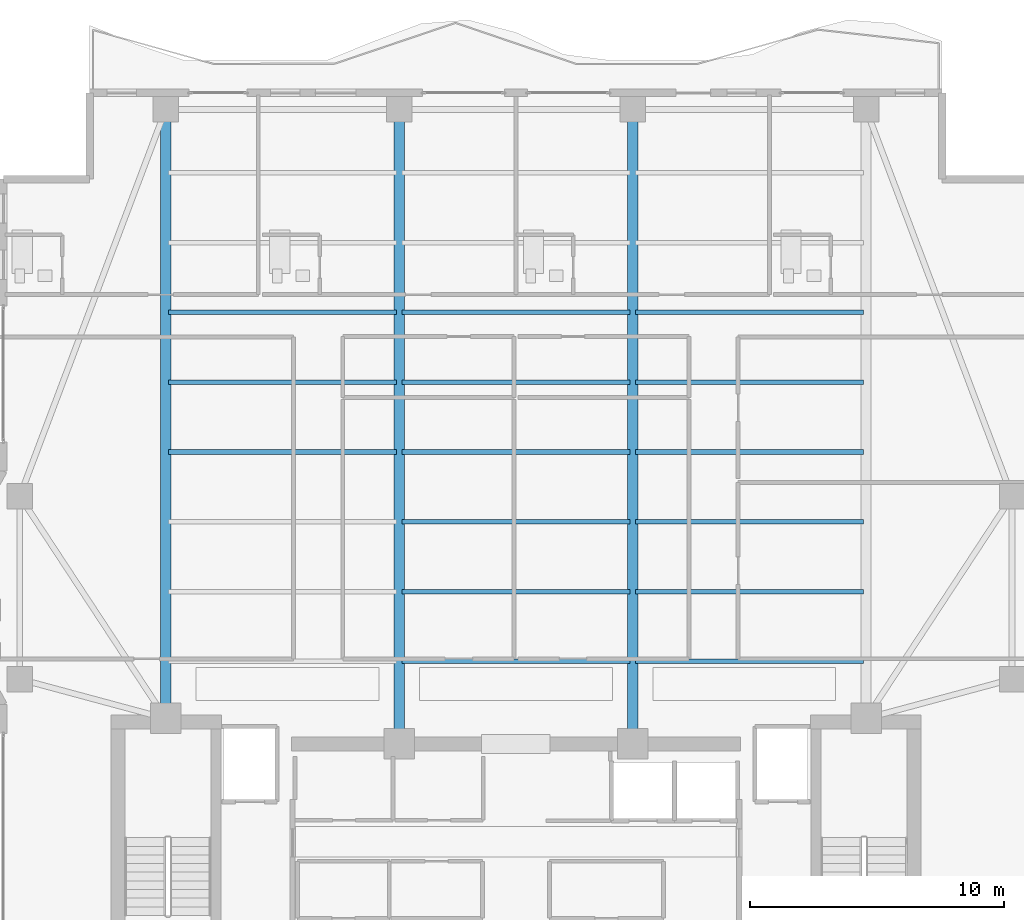
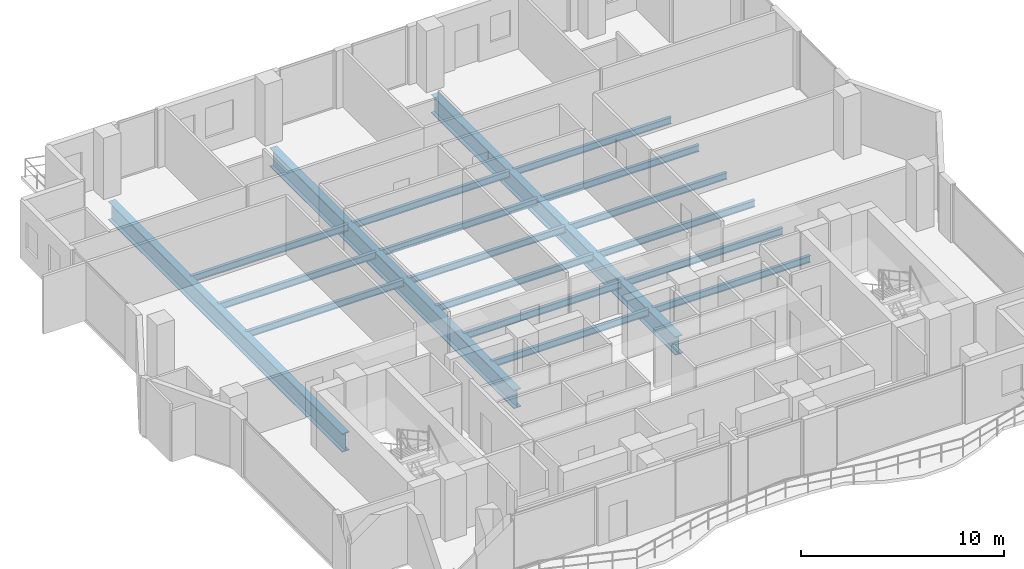
# One storey, part 7 of 25: 18 beams.
"""IFC4 building model written with IfcOpenShell, lengths in metres."""

from ifc_helpers import new_model, si_unit, direction, frame, origin, origin_2d, place, context, subcontext, project, spatial, i_section, extrude, material, material_profile, profile_set, type_object, element, save


model = new_model("IFC4")

# Units and contexts
model_context = context("Model", 3, precision=1e-05, world=origin(), true_north=direction((0.0, 1.0)))
body_context = subcontext(model_context, "Body", "Model", "MODEL_VIEW")
ifc_project = project(units=[si_unit("LENGTHUNIT", "METRE"), si_unit("AREAUNIT", "SQUARE_METRE"), si_unit("VOLUMEUNIT", "CUBIC_METRE"), si_unit("PLANEANGLEUNIT", "RADIAN"), si_unit("MASSUNIT", "GRAM", prefix="KILO")], contexts=[model_context])

# Site, building, storey
site_placement = place(None, origin())
site = spatial("IfcSite", under=ifc_project, at=site_placement, CompositionType="ELEMENT")
building_placement = place(site_placement, origin())
building = spatial("IfcBuilding", under=site, at=building_placement, Name="Zuhayl Quay Hotel", CompositionType="ELEMENT")
storey_placement = place(building_placement, frame((0.0, 0.0, 250.75)))
storey = spatial("IfcBuildingStorey", under=building, at=storey_placement, Name="L63", CompositionType="ELEMENT", Elevation=250.75)

# Beams
ifc_material_1 = material(Name="Steel ASTM A992 Grade 50", Category="steel")
ifc_material_profile_1 = material_profile(ifc_material_1, i_section(OverallWidth=0.177978515625, OverallDepth=0.404052734375, WebThickness=0.007568359375, FlangeThickness=0.010986328125, at=origin_2d()), Name="W16X36")
ifc_profile_set_1 = profile_set([ifc_material_profile_1], Name="Steel ASTM A992 Grade 50")
beam_type_1 = type_object("IfcBeamType", Name="BM_J3_W16X36", PredefinedType="JOIST", material=ifc_profile_set_1)
beam_1_placement = place(storey_placement, frame((-4.493896484375, 16.60009765625, -0.422119140625), z_axis=(1.0, 0.0, 0.0), x_axis=(0.0, 1.0, 0.0)))
element("IfcBeam", 1, at=beam_1_placement, inside=storey, type_object=beam_type_1, Name="L63 Floor Beam FJ_L63_1_2", PredefinedType="JOIST", context=body_context, shape_type="SweptSolid", body=[
    extrude(i_section(OverallWidth=0.177978515625, OverallDepth=0.404052734375, WebThickness=0.007568359375, FlangeThickness=0.010986328125, at=origin_2d()), origin(), (0.0, 0.0, 1.0), 8.98779296875),
])
beam_2_placement = place(storey_placement, frame((4.7060546875, 16.60009765625, -0.422119140625), z_axis=(1.0, 0.0, 0.0), x_axis=(0.0, 1.0, 0.0)))
element("IfcBeam", 2, at=beam_2_placement, inside=storey, type_object=beam_type_1, Name="L63 Floor Beam FJ_L63_1_3", PredefinedType="JOIST", context=body_context, shape_type="SweptSolid", body=[
    extrude(i_section(OverallWidth=0.177978515625, OverallDepth=0.404052734375, WebThickness=0.007568359375, FlangeThickness=0.010986328125, at=origin_2d()), origin(), (0.0, 0.0, 1.0), 8.988037109375),
])
beam_3_placement = place(storey_placement, frame((-4.493896484375, 19.35009765625, -0.422119140625), z_axis=(1.0, 0.0, 0.0), x_axis=(0.0, 1.0, 0.0)))
element("IfcBeam", 3, at=beam_3_placement, inside=storey, type_object=beam_type_1, Name="L63 Floor Beam FJ_L63_2_2", PredefinedType="JOIST", context=body_context, shape_type="SweptSolid", body=[
    extrude(i_section(OverallWidth=0.177978515625, OverallDepth=0.404052734375, WebThickness=0.007568359375, FlangeThickness=0.010986328125, at=origin_2d()), origin(), (0.0, 0.0, 1.0), 8.98779296875),
])
beam_4_placement = place(storey_placement, frame((4.7060546875, 19.35009765625, -0.422119140625), z_axis=(1.0, 0.0, 0.0), x_axis=(0.0, 1.0, 0.0)))
element("IfcBeam", 4, at=beam_4_placement, inside=storey, type_object=beam_type_1, Name="L63 Floor Beam FJ_L63_2_3", PredefinedType="JOIST", context=body_context, shape_type="SweptSolid", body=[
    extrude(i_section(OverallWidth=0.177978515625, OverallDepth=0.404052734375, WebThickness=0.007568359375, FlangeThickness=0.010986328125, at=origin_2d()), origin(), (0.0, 0.0, 1.0), 8.988037109375),
])
beam_5_placement = place(storey_placement, frame((-4.493896484375, 22.10009765625, -0.422119140625), z_axis=(1.0, 0.0, 0.0), x_axis=(0.0, 1.0, 0.0)))
element("IfcBeam", 5, at=beam_5_placement, inside=storey, type_object=beam_type_1, Name="L63 Floor Beam FJ_L63_3_2", PredefinedType="JOIST", context=body_context, shape_type="SweptSolid", body=[
    extrude(i_section(OverallWidth=0.177978515625, OverallDepth=0.404052734375, WebThickness=0.007568359375, FlangeThickness=0.010986328125, at=origin_2d()), origin(), (0.0, 0.0, 1.0), 8.98779296875),
])
for number, where, z_axis, x_axis, name in (
    (6, (4.7060546875, 22.10009765625, -0.422119140625), (1.0, 0.0, 0.0), (0.0, 1.0, 0.0), "L63 Floor Beam FJ_L63_3_3"),
    (7, (-13.694091796875, 24.85009765625, -0.422119140625), (1.0, 0.0, 0.0), (0.0, 1.0, 0.0), "L63 Floor Beam FJ_L63_4_1"),
):
    element("IfcBeam", number, at=place(storey_placement, frame(where, z_axis=z_axis, x_axis=x_axis)), inside=storey, type_object=beam_type_1, Name=name, PredefinedType="JOIST", context=body_context, shape_type="SweptSolid", body=[
        extrude(i_section(OverallWidth=0.177978515625, OverallDepth=0.404052734375, WebThickness=0.007568359375, FlangeThickness=0.010986328125, at=origin_2d()), origin(), (0.0, 0.0, 1.0), 8.988037109375),
    ])
beam_6_placement = place(storey_placement, frame((-4.493896484375, 24.85009765625, -0.422119140625), z_axis=(1.0, 0.0, 0.0), x_axis=(0.0, 1.0, 0.0)))
element("IfcBeam", 8, at=beam_6_placement, inside=storey, type_object=beam_type_1, Name="L63 Floor Beam FJ_L63_4_2", PredefinedType="JOIST", context=body_context, shape_type="SweptSolid", body=[
    extrude(i_section(OverallWidth=0.177978515625, OverallDepth=0.404052734375, WebThickness=0.007568359375, FlangeThickness=0.010986328125, at=origin_2d()), origin(), (0.0, 0.0, 1.0), 8.98779296875),
])
for number, where, z_axis, x_axis, name in (
    (9, (4.7060546875, 24.85009765625, -0.422119140625), (1.0, 0.0, 0.0), (0.0, 1.0, 0.0), "L63 Floor Beam FJ_L63_4_3"),
    (10, (-13.694091796875, 27.60009765625, -0.422119140625), (1.0, 0.0, 0.0), (0.0, 1.0, 0.0), "L63 Floor Beam FJ_L63_5_1"),
):
    element("IfcBeam", number, at=place(storey_placement, frame(where, z_axis=z_axis, x_axis=x_axis)), inside=storey, type_object=beam_type_1, Name=name, PredefinedType="JOIST", context=body_context, shape_type="SweptSolid", body=[
        extrude(i_section(OverallWidth=0.177978515625, OverallDepth=0.404052734375, WebThickness=0.007568359375, FlangeThickness=0.010986328125, at=origin_2d()), origin(), (0.0, 0.0, 1.0), 8.988037109375),
    ])
beam_7_placement = place(storey_placement, frame((-4.493896484375, 27.60009765625, -0.422119140625), z_axis=(1.0, 0.0, 0.0), x_axis=(0.0, 1.0, 0.0)))
element("IfcBeam", 11, at=beam_7_placement, inside=storey, type_object=beam_type_1, Name="L63 Floor Beam FJ_L63_5_2", PredefinedType="JOIST", context=body_context, shape_type="SweptSolid", body=[
    extrude(i_section(OverallWidth=0.177978515625, OverallDepth=0.404052734375, WebThickness=0.007568359375, FlangeThickness=0.010986328125, at=origin_2d()), origin(), (0.0, 0.0, 1.0), 8.98779296875),
])
for number, where, z_axis, x_axis, name in (
    (12, (4.7060546875, 27.60009765625, -0.422119140625), (1.0, 0.0, 0.0), (0.0, 1.0, 0.0), "L63 Floor Beam FJ_L63_5_3"),
    (13, (-13.694091796875, 30.35009765625, -0.422119140625), (1.0, 0.0, 0.0), (0.0, 1.0, 0.0), "L63 Floor Beam FJ_L63_6_1"),
):
    element("IfcBeam", number, at=place(storey_placement, frame(where, z_axis=z_axis, x_axis=x_axis)), inside=storey, type_object=beam_type_1, Name=name, PredefinedType="JOIST", context=body_context, shape_type="SweptSolid", body=[
        extrude(i_section(OverallWidth=0.177978515625, OverallDepth=0.404052734375, WebThickness=0.007568359375, FlangeThickness=0.010986328125, at=origin_2d()), origin(), (0.0, 0.0, 1.0), 8.988037109375),
    ])
beam_8_placement = place(storey_placement, frame((-4.493896484375, 30.35009765625, -0.422119140625), z_axis=(1.0, 0.0, 0.0), x_axis=(0.0, 1.0, 0.0)))
element("IfcBeam", 14, at=beam_8_placement, inside=storey, type_object=beam_type_1, Name="L63 Floor Beam FJ_L63_6_2", PredefinedType="JOIST", context=body_context, shape_type="SweptSolid", body=[
    extrude(i_section(OverallWidth=0.177978515625, OverallDepth=0.404052734375, WebThickness=0.007568359375, FlangeThickness=0.010986328125, at=origin_2d()), origin(), (0.0, 0.0, 1.0), 8.98779296875),
])
beam_9_placement = place(storey_placement, frame((4.7060546875, 30.35009765625, -0.422119140625), z_axis=(1.0, 0.0, 0.0), x_axis=(0.0, 1.0, 0.0)))
element("IfcBeam", 15, at=beam_9_placement, inside=storey, type_object=beam_type_1, Name="L63 Floor Beam FJ_L63_6_3", PredefinedType="JOIST", context=body_context, shape_type="SweptSolid", body=[
    extrude(i_section(OverallWidth=0.177978515625, OverallDepth=0.404052734375, WebThickness=0.007568359375, FlangeThickness=0.010986328125, at=origin_2d()), origin(), (0.0, 0.0, 1.0), 8.988037109375),
])
ifc_material_2 = material(Name="Steel ASTM A913 Grade 65", Category="steel")
ifc_material_profile_2 = material_profile(ifc_material_2, i_section(OverallWidth=0.404052734375, OverallDepth=1.117919921875, WebThickness=0.026123046875, FlangeThickness=0.044921875, at=origin_2d()), Name="W44X335")
ifc_profile_set_2 = profile_set([ifc_material_profile_2], Name="Steel ASTM A913 Grade 65")
beam_type_2 = type_object("IfcBeamType", Name="BM_TG1_W44X335", PredefinedType="BEAM", material=ifc_profile_set_2)
beam_10_placement = place(storey_placement, frame((-13.800048828125, 14.800048828125, -0.779052734375), z_axis=(0.0, 1.0, 0.0), x_axis=(-1.0, 0.0, 0.0)))
element("IfcBeam", 16, at=beam_10_placement, inside=storey, type_object=beam_type_2, Name="L63 Floor Beam FG_N_L63_1", PredefinedType="BEAM", context=body_context, shape_type="SweptSolid", body=[
    extrude(i_section(OverallWidth=0.404052734375, OverallDepth=1.117919921875, WebThickness=0.026123046875, FlangeThickness=0.044921875, at=origin_2d()), origin(), (0.0, 0.0, 1.0), 23.08984375),
])
for number, where, z_axis, x_axis, name in (
    (17, (-4.60009765625, 13.800048828125, -0.779052734375), (0.0, 1.0, 0.0), (-1.0, 0.0, 0.0), "L63 Floor Beam FG_N_L63_2"),
    (18, (4.60009765625, 13.800048828125, -0.779052734375), (0.0, 1.0, 0.0), (-1.0, 0.0, 0.0), "L63 Floor Beam FG_N_L63_3"),
):
    element("IfcBeam", number, at=place(storey_placement, frame(where, z_axis=z_axis, x_axis=x_axis)), inside=storey, type_object=beam_type_2, Name=name, PredefinedType="BEAM", context=body_context, shape_type="SweptSolid", body=[
        extrude(i_section(OverallWidth=0.404052734375, OverallDepth=1.117919921875, WebThickness=0.026123046875, FlangeThickness=0.044921875, at=origin_2d()), origin(), (0.0, 0.0, 1.0), 24.08984375),
    ])

save(model, "model.ifc")
